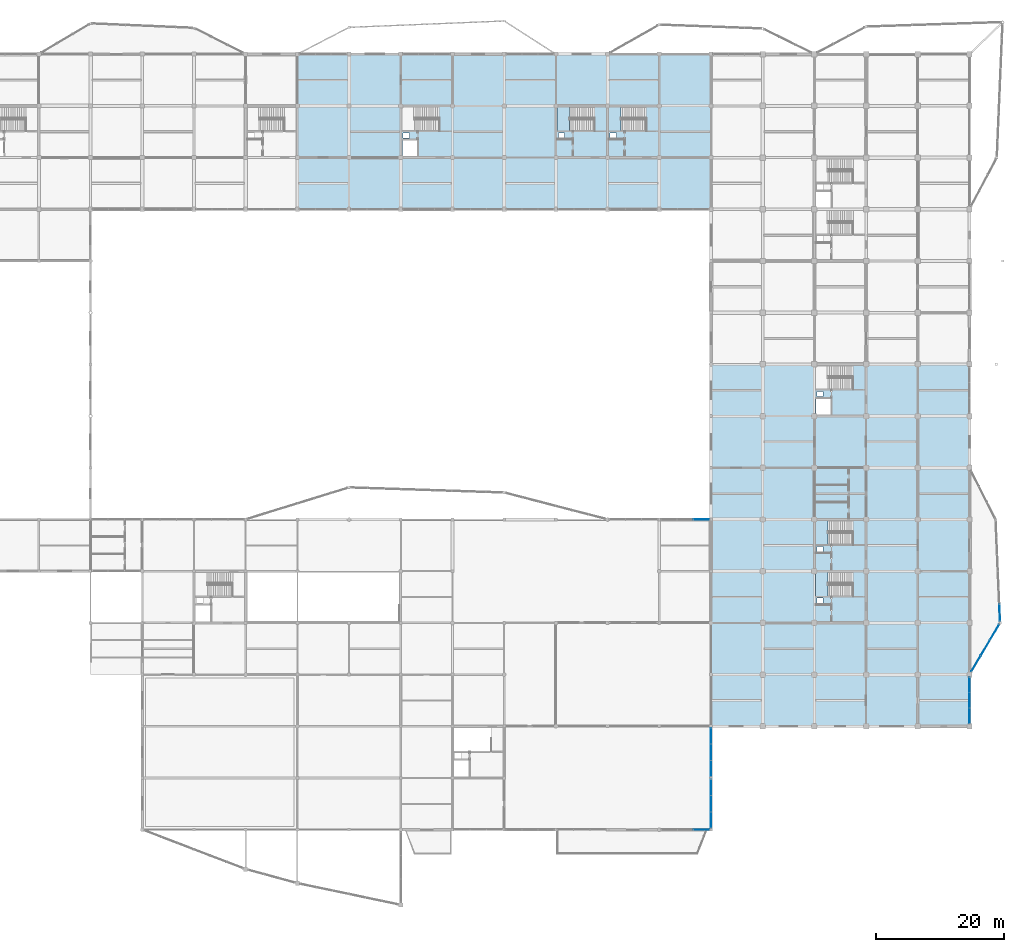
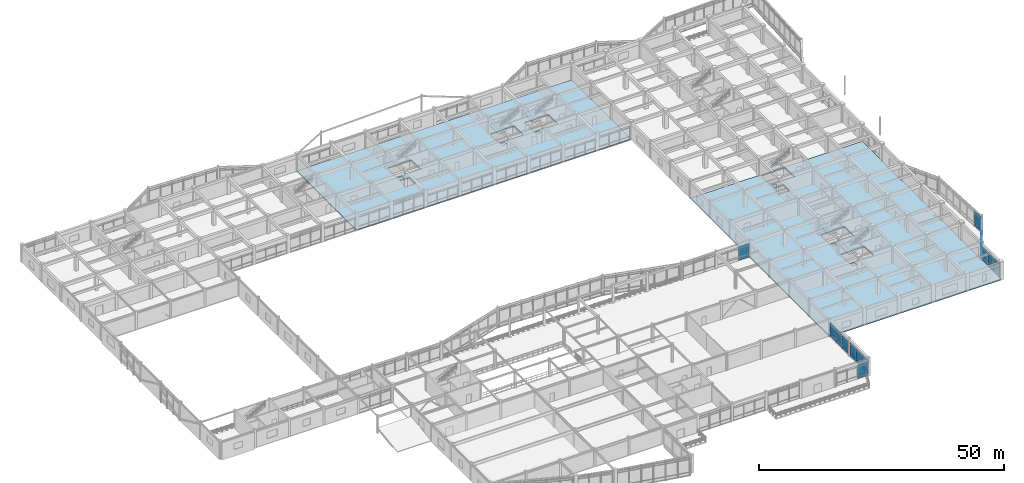
# One storey, part 54 of 93: 30 plates, 6 slabs, 11 elements without a shape of their own.
"""IFC4 building model written with IfcOpenShell, lengths in metres."""

from ifc_helpers import new_model, si_unit, direction, frame, origin, origin_2d, place, context, subcontext, project, spatial, polyline, rectangle, outline, extrude, material, layer, layer_set, type_object, element, aggregate, save


model = new_model("IFC4")

# Units and contexts
model_context = context("Model", 3, precision=1e-05, world=origin(), true_north=direction((0.0, 1.0)))
body_context = subcontext(model_context, "Body", "Model", "MODEL_VIEW")
ifc_project = project(units=[si_unit("LENGTHUNIT", "METRE"), si_unit("AREAUNIT", "SQUARE_METRE"), si_unit("VOLUMEUNIT", "CUBIC_METRE"), si_unit("PLANEANGLEUNIT", "RADIAN"), si_unit("MASSUNIT", "GRAM", prefix="KILO")], contexts=[model_context])

# Site, building, storey
site_placement = place(None, origin())
site = spatial("IfcSite", under=ifc_project, at=site_placement, CompositionType="ELEMENT")
building_placement = place(site_placement, origin())
building = spatial("IfcBuilding", under=site, at=building_placement, Name="Vaudrelin Polytechnic", CompositionType="ELEMENT")
storey_placement = place(building_placement, frame((0.0, 0.0, 5.10009765625)))
storey = spatial("IfcBuildingStorey", under=building, at=storey_placement, Name="L01", CompositionType="ELEMENT", Elevation=5.10009765625)

# Curtain wall, plates
ifc_material_1 = material(Name="Thermally broken anodised aluminium AA 6063-T6 and low-e triple glazing", Category="aluminium")
ifc_layer_1 = layer(ifc_material_1, 0.199951171875)
ifc_layer_set_1 = layer_set([ifc_layer_1], Name="Thermally broken anodised aluminium AA 6063-T6 and low-e triple glazing")
curtain_wall_type_1 = type_object("IfcCurtainWallType", Name="CW-CW-LAB", PredefinedType="USERDEFINED", material=ifc_layer_set_1)
curtain_wall_1_placement = place(storey_placement, origin())
curtain_wall_1 = element("IfcCurtainWall", 1, at=curtain_wall_1_placement, inside=storey, type_object=curtain_wall_type_1, Name="Curtain wall L01 E_V4_00", ObjectType="CURTAIN WALL", PredefinedType="USERDEFINED")
ifc_material_2 = material(Name="Insulated ceramic-frit spandrel glass panel", Category="glass")
ifc_layer_2 = layer(ifc_material_2, 0.052001953125)
ifc_layer_set_2 = layer_set([ifc_layer_2], Name="Insulated ceramic-frit spandrel glass panel")
plate_type_1 = type_object("IfcPlateType", Name="PLT-GLZ-SPAND", PredefinedType="CURTAIN_PANEL", material=ifc_layer_set_2)
plate_1_placement = place(storey_placement, frame((170.10009765625, 17.83203125, 0.08984375), z_axis=(0.0, 0.0, 1.0), x_axis=(0.0, 1.0, 0.0)))
plate_1 = element("IfcPlate", 2, at=plate_1_placement, type_object=plate_type_1, Name="E_V4_00 spandrel panel 1", PredefinedType="CURTAIN_PANEL", context=body_context, shape_type="SweptSolid", body=[
    extrude(rectangle(XDim=2.318115234375, YDim=0.052001953125, at=origin_2d()), origin(), (0.0, 0.0, 1.0), 0.699951171875),
])
plate_2_placement = place(storey_placement, frame((170.10009765625, 20.25, 0.08984375), z_axis=(0.0, 0.0, 1.0), x_axis=(0.0, 1.0, 0.0)))
plate_2 = element("IfcPlate", 3, at=plate_2_placement, type_object=plate_type_1, Name="E_V4_00 spandrel panel 2", PredefinedType="CURTAIN_PANEL", context=body_context, shape_type="SweptSolid", body=[
    extrude(rectangle(XDim=2.318115234375, YDim=0.052001953125, at=origin_2d()), origin(), (0.0, 0.0, 1.0), 0.699951171875),
])
plate_3_placement = place(storey_placement, frame((170.10009765625, 22.66796875, 0.08984375), z_axis=(0.0, 0.0, 1.0), x_axis=(0.0, 1.0, 0.0)))
plate_3 = element("IfcPlate", 4, at=plate_3_placement, type_object=plate_type_1, Name="E_V4_00 spandrel panel 3", PredefinedType="CURTAIN_PANEL", context=body_context, shape_type="SweptSolid", body=[
    extrude(rectangle(XDim=2.318115234375, YDim=0.052001953125, at=origin_2d()), origin(), (0.0, 0.0, 1.0), 0.699951171875),
])

ifc_layer_3 = layer(ifc_material_1, 0.199951171875)
ifc_layer_set_3 = layer_set([ifc_layer_3], Name="Thermally broken anodised aluminium AA 6063-T6 and low-e triple glazing")
curtain_wall_type_2 = type_object("IfcCurtainWallType", Name="CW-CW-WG", PredefinedType="USERDEFINED", material=ifc_layer_set_3)
curtain_wall_2_placement = place(storey_placement, origin())
curtain_wall_2 = element("IfcCurtainWall", 5, at=curtain_wall_2_placement, inside=storey, type_object=curtain_wall_type_2, Name="Curtain wall L01 E_V3_00", ObjectType="CURTAIN WALL", PredefinedType="USERDEFINED")
plate_4_placement = place(storey_placement, frame((129.60009765625, 1.498779296875, 0.08984375), z_axis=(0.0, 0.0, 1.0), x_axis=(0.0, 1.0, 0.0)))
plate_4 = element("IfcPlate", 6, at=plate_4_placement, type_object=plate_type_1, Name="E_V3_00 spandrel panel 1", PredefinedType="CURTAIN_PANEL", context=body_context, shape_type="SweptSolid", body=[
    extrude(rectangle(XDim=2.451416015625, YDim=0.052001953125, at=origin_2d()), origin(), (0.0, 0.0, 1.0), 0.699951171875),
])
plate_5_placement = place(storey_placement, frame((129.60009765625, 4.050048828125, 0.08984375), z_axis=(0.0, 0.0, 1.0), x_axis=(0.0, 1.0, 0.0)))
plate_5 = element("IfcPlate", 7, at=plate_5_placement, type_object=plate_type_1, Name="E_V3_00 spandrel panel 2", PredefinedType="CURTAIN_PANEL", context=body_context, shape_type="SweptSolid", body=[
    extrude(rectangle(XDim=2.451416015625, YDim=0.052001953125, at=origin_2d()), origin(), (0.0, 0.0, 1.0), 0.699951171875),
])
plate_6_placement = place(storey_placement, frame((129.60009765625, 6.601318359375, 0.08984375), z_axis=(0.0, 0.0, 1.0), x_axis=(0.0, 1.0, 0.0)))
plate_6 = element("IfcPlate", 8, at=plate_6_placement, type_object=plate_type_1, Name="E_V3_00 spandrel panel 3", PredefinedType="CURTAIN_PANEL", context=body_context, shape_type="SweptSolid", body=[
    extrude(rectangle(XDim=2.451416015625, YDim=0.052001953125, at=origin_2d()), origin(), (0.0, 0.0, 1.0), 0.699951171875),
])

curtain_wall_3_placement = place(storey_placement, origin())
curtain_wall_3 = element("IfcCurtainWall", 9, at=curtain_wall_3_placement, inside=storey, type_object=curtain_wall_type_2, Name="Curtain wall L01 E_V3_01", ObjectType="CURTAIN WALL", PredefinedType="USERDEFINED")
plate_7_placement = place(storey_placement, frame((129.60009765625, 9.5986328125, 0.08984375), z_axis=(0.0, 0.0, 1.0), x_axis=(0.0, 1.0, 0.0)))
plate_7 = element("IfcPlate", 10, at=plate_7_placement, type_object=plate_type_1, Name="E_V3_01 spandrel panel 1", PredefinedType="CURTAIN_PANEL", context=body_context, shape_type="SweptSolid", body=[
    extrude(rectangle(XDim=2.451416015625, YDim=0.052001953125, at=origin_2d()), origin(), (0.0, 0.0, 1.0), 0.699951171875),
])
plate_8_placement = place(storey_placement, frame((129.60009765625, 12.14990234375, 0.08984375), z_axis=(0.0, 0.0, 1.0), x_axis=(0.0, 1.0, 0.0)))
plate_8 = element("IfcPlate", 11, at=plate_8_placement, type_object=plate_type_1, Name="E_V3_01 spandrel panel 2", PredefinedType="CURTAIN_PANEL", context=body_context, shape_type="SweptSolid", body=[
    extrude(rectangle(XDim=2.451416015625, YDim=0.052001953125, at=origin_2d()), origin(), (0.0, 0.0, 1.0), 0.699951171875),
])
plate_9_placement = place(storey_placement, frame((129.60009765625, 14.701416015625, 0.08984375), z_axis=(0.0, 0.0, 1.0), x_axis=(0.0, 1.0, 0.0)))
plate_9 = element("IfcPlate", 12, at=plate_9_placement, type_object=plate_type_1, Name="E_V3_01 spandrel panel 3", PredefinedType="CURTAIN_PANEL", context=body_context, shape_type="SweptSolid", body=[
    extrude(rectangle(XDim=2.451416015625, YDim=0.052001953125, at=origin_2d()), origin(), (0.0, 0.0, 1.0), 0.699951171875),
])

# Curtain wall, plate
curtain_wall_4_placement = place(storey_placement, origin())
curtain_wall_4 = element("IfcCurtainWall", 13, at=curtain_wall_4_placement, inside=storey, type_object=curtain_wall_type_2, Name="Curtain wall L01 S_V3_05", ObjectType="CURTAIN WALL", PredefinedType="USERDEFINED")
plate_10_placement = place(storey_placement, frame((128.11376953125, 0.0, 0.08984375), z_axis=(0.0, 0.0, 1.0), x_axis=(1.0, 0.0, 0.0)))
plate_10 = element("IfcPlate", 14, at=plate_10_placement, type_object=plate_type_1, Name="S_V3_05 spandrel panel 3", PredefinedType="CURTAIN_PANEL", context=body_context, shape_type="SweptSolid", body=[
    extrude(rectangle(XDim=2.42626953125, YDim=0.052001953125, at=origin_2d()), origin(), (0.0, 0.0, 1.0), 0.699951171875),
])

curtain_wall_5_placement = place(storey_placement, origin())
curtain_wall_5 = element("IfcCurtainWall", 15, at=curtain_wall_5_placement, inside=storey, type_object=curtain_wall_type_2, Name="Curtain wall L01 CT_S_11", ObjectType="CURTAIN WALL", PredefinedType="USERDEFINED")
plate_11_placement = place(storey_placement, frame((128.101318359375, 48.60009765625, 0.08984375), z_axis=(0.0, 0.0, 1.0), x_axis=(1.0, 0.0, 0.0)))
plate_11 = element("IfcPlate", 16, at=plate_11_placement, type_object=plate_type_1, Name="CT_S_11 spandrel panel 3", PredefinedType="CURTAIN_PANEL", context=body_context, shape_type="SweptSolid", body=[
    extrude(rectangle(XDim=2.451416015625, YDim=0.052001953125, at=origin_2d()), origin(), (0.0, 0.0, 1.0), 0.699951171875),
])

# Curtain wall, plates
curtain_wall_6_placement = place(storey_placement, origin())
curtain_wall_6 = element("IfcCurtainWall", 17, at=curtain_wall_6_placement, inside=storey, type_object=curtain_wall_type_1, Name="Curtain wall L01 E_OR1_1_0", ObjectType="CURTAIN WALL", PredefinedType="USERDEFINED")
plate_12_placement = place(storey_placement, frame((171.123779296875, 26.027587890625, 0.08984375), z_axis=(0.0, 0.0, 1.0), x_axis=(0.509798873652, 0.860293617565, 0.0)))
plate_12 = element("IfcPlate", 18, at=plate_12_placement, type_object=plate_type_1, Name="E_OR1_1_0 spandrel panel 1", PredefinedType="CURTAIN_PANEL", context=body_context, shape_type="SweptSolid", body=[
    extrude(rectangle(XDim=2.758056640625, YDim=0.052001953125, at=origin_2d()), origin(), (0.0, 0.0, 1.0), 0.699951171875),
])
plate_13_placement = place(storey_placement, frame((172.580810546875, 28.486083984375, 0.08984375), z_axis=(0.0, 0.0, 1.0), x_axis=(0.509798873652, 0.860293617565, 0.0)))
plate_13 = element("IfcPlate", 19, at=plate_13_placement, type_object=plate_type_1, Name="E_OR1_1_0 spandrel panel 2", PredefinedType="CURTAIN_PANEL", context=body_context, shape_type="SweptSolid", body=[
    extrude(rectangle(XDim=2.758056640625, YDim=0.052001953125, at=origin_2d()), origin(), (0.0, 0.0, 1.0), 0.699951171875),
])
plate_14_placement = place(storey_placement, frame((174.037841796875, 30.945068359375, 0.08984375), z_axis=(0.0, 0.0, 1.0), x_axis=(0.509798873652, 0.860293617565, 0.0)))
plate_14 = element("IfcPlate", 20, at=plate_14_placement, type_object=plate_type_1, Name="E_OR1_1_0 spandrel panel 3", PredefinedType="CURTAIN_PANEL", context=body_context, shape_type="SweptSolid", body=[
    extrude(rectangle(XDim=2.758056640625, YDim=0.052001953125, at=origin_2d()), origin(), (0.0, 0.0, 1.0), 0.699951171875),
])

# Curtain wall, plate
curtain_wall_7_placement = place(storey_placement, origin())
curtain_wall_7 = element("IfcCurtainWall", 21, at=curtain_wall_7_placement, inside=storey, type_object=curtain_wall_type_1, Name="Curtain wall L01 E_OR1_2_0", ObjectType="CURTAIN WALL", PredefinedType="USERDEFINED")
plate_15_placement = place(storey_placement, frame((174.8330078125, 33.94775390625, 0.08984375), z_axis=(0.0, 0.0, 1.0), x_axis=(-0.043164270821, 0.99906798854, 0.0)))
plate_15 = element("IfcPlate", 22, at=plate_15_placement, type_object=plate_type_1, Name="E_OR1_2_0 spandrel panel 1", PredefinedType="CURTAIN_PANEL", context=body_context, shape_type="SweptSolid", body=[
    extrude(rectangle(XDim=2.523193359375, YDim=0.052001953125, at=origin_2d()), origin(), (0.0, 0.0, 1.0), 0.699951171875),
])

# Plate
ifc_material_3 = material(Name="Triple low-e argon insulated glazing unit", Category="glass")
ifc_layer_4 = layer(ifc_material_3, 0.0439453125)
ifc_layer_set_4 = layer_set([ifc_layer_4], Name="Triple low-e argon insulated glazing unit")
plate_type_2 = type_object("IfcPlateType", Name="PLT-GLZ-TRIPLE", PredefinedType="CURTAIN_PANEL", material=ifc_layer_set_4)
plate_16_placement = place(storey_placement, frame((170.10009765625, 17.83203125, 0.89990234375), z_axis=(0.0, 0.0, 1.0), x_axis=(0.0, 1.0, 0.0)))
plate_16 = element("IfcPlate", 23, at=plate_16_placement, type_object=plate_type_2, Name="E_V4_00 vision panel 1", PredefinedType="CURTAIN_PANEL", context=body_context, shape_type="SweptSolid", body=[
    extrude(rectangle(XDim=2.318115234375, YDim=0.0439453125, at=origin_2d()), origin(), (0.0, 0.0, 1.0), 2.662109375),
])

plate_17_placement = place(storey_placement, frame((170.10009765625, 20.25, 0.89990234375), z_axis=(0.0, 0.0, 1.0), x_axis=(0.0, 1.0, 0.0)))
plate_17 = element("IfcPlate", 24, at=plate_17_placement, type_object=plate_type_2, Name="E_V4_00 vision panel 2", PredefinedType="CURTAIN_PANEL", context=body_context, shape_type="SweptSolid", body=[
    extrude(rectangle(XDim=2.318115234375, YDim=0.0439453125, at=origin_2d()), origin(), (0.0, 0.0, 1.0), 2.662109375),
])

plate_18_placement = place(storey_placement, frame((170.10009765625, 22.66796875, 0.89990234375), z_axis=(0.0, 0.0, 1.0), x_axis=(0.0, 1.0, 0.0)))
plate_18 = element("IfcPlate", 25, at=plate_18_placement, type_object=plate_type_2, Name="E_V4_00 vision panel 3", PredefinedType="CURTAIN_PANEL", context=body_context, shape_type="SweptSolid", body=[
    extrude(rectangle(XDim=2.318115234375, YDim=0.0439453125, at=origin_2d()), origin(), (0.0, 0.0, 1.0), 2.662109375),
])

aggregate(curtain_wall_1, [plate_1, plate_16, plate_2, plate_17, plate_3, plate_18])

plate_19_placement = place(storey_placement, frame((129.60009765625, 1.498779296875, 0.89990234375), z_axis=(0.0, 0.0, 1.0), x_axis=(0.0, 1.0, 0.0)))
plate_19 = element("IfcPlate", 26, at=plate_19_placement, type_object=plate_type_2, Name="E_V3_00 vision panel 1", PredefinedType="CURTAIN_PANEL", context=body_context, shape_type="SweptSolid", body=[
    extrude(rectangle(XDim=2.451416015625, YDim=0.0439453125, at=origin_2d()), origin(), (0.0, 0.0, 1.0), 2.662109375),
])

plate_20_placement = place(storey_placement, frame((129.60009765625, 4.050048828125, 0.89990234375), z_axis=(0.0, 0.0, 1.0), x_axis=(0.0, 1.0, 0.0)))
plate_20 = element("IfcPlate", 27, at=plate_20_placement, type_object=plate_type_2, Name="E_V3_00 vision panel 2", PredefinedType="CURTAIN_PANEL", context=body_context, shape_type="SweptSolid", body=[
    extrude(rectangle(XDim=2.451416015625, YDim=0.0439453125, at=origin_2d()), origin(), (0.0, 0.0, 1.0), 2.662109375),
])

plate_21_placement = place(storey_placement, frame((129.60009765625, 6.601318359375, 0.89990234375), z_axis=(0.0, 0.0, 1.0), x_axis=(0.0, 1.0, 0.0)))
plate_21 = element("IfcPlate", 28, at=plate_21_placement, type_object=plate_type_2, Name="E_V3_00 vision panel 3", PredefinedType="CURTAIN_PANEL", context=body_context, shape_type="SweptSolid", body=[
    extrude(rectangle(XDim=2.451416015625, YDim=0.0439453125, at=origin_2d()), origin(), (0.0, 0.0, 1.0), 2.662109375),
])

aggregate(curtain_wall_2, [plate_4, plate_19, plate_5, plate_20, plate_6, plate_21])

plate_22_placement = place(storey_placement, frame((129.60009765625, 9.5986328125, 0.89990234375), z_axis=(0.0, 0.0, 1.0), x_axis=(0.0, 1.0, 0.0)))
plate_22 = element("IfcPlate", 29, at=plate_22_placement, type_object=plate_type_2, Name="E_V3_01 vision panel 1", PredefinedType="CURTAIN_PANEL", context=body_context, shape_type="SweptSolid", body=[
    extrude(rectangle(XDim=2.451416015625, YDim=0.0439453125, at=origin_2d()), origin(), (0.0, 0.0, 1.0), 2.56201171875),
])

plate_23_placement = place(storey_placement, frame((129.60009765625, 12.14990234375, 0.89990234375), z_axis=(0.0, 0.0, 1.0), x_axis=(0.0, 1.0, 0.0)))
plate_23 = element("IfcPlate", 30, at=plate_23_placement, type_object=plate_type_2, Name="E_V3_01 vision panel 2", PredefinedType="CURTAIN_PANEL", context=body_context, shape_type="SweptSolid", body=[
    extrude(rectangle(XDim=2.451416015625, YDim=0.0439453125, at=origin_2d()), origin(), (0.0, 0.0, 1.0), 2.56201171875),
])

plate_24_placement = place(storey_placement, frame((129.60009765625, 14.701416015625, 0.89990234375), z_axis=(0.0, 0.0, 1.0), x_axis=(0.0, 1.0, 0.0)))
plate_24 = element("IfcPlate", 31, at=plate_24_placement, type_object=plate_type_2, Name="E_V3_01 vision panel 3", PredefinedType="CURTAIN_PANEL", context=body_context, shape_type="SweptSolid", body=[
    extrude(rectangle(XDim=2.451416015625, YDim=0.0439453125, at=origin_2d()), origin(), (0.0, 0.0, 1.0), 2.56201171875),
])

aggregate(curtain_wall_3, [plate_7, plate_22, plate_8, plate_23, plate_9, plate_24])

plate_25_placement = place(storey_placement, frame((128.11376953125, 0.0, 0.89990234375), z_axis=(0.0, 0.0, 1.0), x_axis=(1.0, 0.0, 0.0)))
plate_25 = element("IfcPlate", 32, at=plate_25_placement, type_object=plate_type_2, Name="S_V3_05 vision panel 3", PredefinedType="CURTAIN_PANEL", context=body_context, shape_type="SweptSolid", body=[
    extrude(rectangle(XDim=2.42626953125, YDim=0.0439453125, at=origin_2d()), origin(), (0.0, 0.0, 1.0), 2.662109375),
])

aggregate(curtain_wall_4, [plate_10, plate_25])

plate_26_placement = place(storey_placement, frame((128.101318359375, 48.60009765625, 0.89990234375), z_axis=(0.0, 0.0, 1.0), x_axis=(1.0, 0.0, 0.0)))
plate_26 = element("IfcPlate", 33, at=plate_26_placement, type_object=plate_type_2, Name="CT_S_11 vision panel 3", PredefinedType="CURTAIN_PANEL", context=body_context, shape_type="SweptSolid", body=[
    extrude(rectangle(XDim=2.451416015625, YDim=0.0439453125, at=origin_2d()), origin(), (0.0, 0.0, 1.0), 2.662109375),
])

aggregate(curtain_wall_5, [plate_11, plate_26])

plate_27_placement = place(storey_placement, frame((171.123779296875, 26.027587890625, 0.89990234375), z_axis=(0.0, 0.0, 1.0), x_axis=(0.509798873652, 0.860293617565, 0.0)))
plate_27 = element("IfcPlate", 34, at=plate_27_placement, type_object=plate_type_2, Name="E_OR1_1_0 vision panel 1", PredefinedType="CURTAIN_PANEL", context=body_context, shape_type="SweptSolid", body=[
    extrude(rectangle(XDim=2.758056640625, YDim=0.0439453125, at=origin_2d()), origin(), (0.0, 0.0, 1.0), 2.97998046875),
])

plate_28_placement = place(storey_placement, frame((172.580810546875, 28.486083984375, 0.89990234375), z_axis=(0.0, 0.0, 1.0), x_axis=(0.509798873652, 0.860293617565, 0.0)))
plate_28 = element("IfcPlate", 35, at=plate_28_placement, type_object=plate_type_2, Name="E_OR1_1_0 vision panel 2", PredefinedType="CURTAIN_PANEL", context=body_context, shape_type="SweptSolid", body=[
    extrude(rectangle(XDim=2.758056640625, YDim=0.0439453125, at=origin_2d()), origin(), (0.0, 0.0, 1.0), 2.97998046875),
])

plate_29_placement = place(storey_placement, frame((174.037841796875, 30.945068359375, 0.89990234375), z_axis=(0.0, 0.0, 1.0), x_axis=(0.509798873652, 0.860293617565, 0.0)))
plate_29 = element("IfcPlate", 36, at=plate_29_placement, type_object=plate_type_2, Name="E_OR1_1_0 vision panel 3", PredefinedType="CURTAIN_PANEL", context=body_context, shape_type="SweptSolid", body=[
    extrude(rectangle(XDim=2.758056640625, YDim=0.0439453125, at=origin_2d()), origin(), (0.0, 0.0, 1.0), 2.97998046875),
])

aggregate(curtain_wall_6, [plate_12, plate_27, plate_13, plate_28, plate_14, plate_29])

plate_30_placement = place(storey_placement, frame((174.8330078125, 33.94775390625, 0.89990234375), z_axis=(0.0, 0.0, 1.0), x_axis=(-0.043164270821, 0.99906798854, 0.0)))
plate_30 = element("IfcPlate", 37, at=plate_30_placement, type_object=plate_type_2, Name="E_OR1_2_0 vision panel 1", PredefinedType="CURTAIN_PANEL", context=body_context, shape_type="SweptSolid", body=[
    extrude(rectangle(XDim=2.523193359375, YDim=0.0439453125, at=origin_2d()), origin(), (0.0, 0.0, 1.0), 2.97998046875),
])

aggregate(curtain_wall_7, [plate_15, plate_30])

# Stair, slab
ifc_material_4 = material(Name="Concrete 35 MPa", Category="concrete")
stair_type = type_object("IfcStairType", Name="STR-ST-CORE", PredefinedType="TWO_STRAIGHT_RUN_STAIR", material=ifc_material_4)
stair_1_placement = place(storey_placement, origin())
stair_1 = element("IfcStair", 38, at=stair_1_placement, inside=storey, type_object=stair_type, Name="Exit stair ST-08-L01", PredefinedType="TWO_STRAIGHT_RUN_STAIR")
ifc_layer_5 = layer(ifc_material_4, 0.219970703125)
ifc_layer_set_5 = layer_set([ifc_layer_5], Name="Concrete 35 MPa")
slab_type_1 = type_object("IfcSlabType", Name="SLB-LND220", PredefinedType="LANDING", material=ifc_layer_set_5)
slab_1_placement = place(storey_placement, frame((0.0, 0.0, 2.074951171875)))
slab_1 = element("IfcSlab", 39, at=slab_1_placement, type_object=slab_type_1, Name="ST-08-L01 landing 1", PredefinedType="LANDING", context=body_context, shape_type="SweptSolid", body=[
    extrude(outline(polyline([(145.93994140625, 36.56005859375), (147.909912109375, 36.56005859375), (147.909912109375, 40.39990234375), (145.93994140625, 40.39990234375), (145.93994140625, 36.56005859375)])), origin(), (0.0, 0.0, 1.0), 0.219970703125),
])
aggregate(stair_1, [slab_1])

stair_2_placement = place(storey_placement, origin())
stair_2 = element("IfcStair", 40, at=stair_2_placement, inside=storey, type_object=stair_type, Name="Exit stair ST-10-L01", PredefinedType="TWO_STRAIGHT_RUN_STAIR")
slab_2_placement = place(storey_placement, frame((0.0, 0.0, 2.074951171875)))
slab_2 = element("IfcSlab", 41, at=slab_2_placement, type_object=slab_type_1, Name="ST-10-L01 landing 1", PredefinedType="LANDING", context=body_context, shape_type="SweptSolid", body=[
    extrude(outline(polyline([(113.5400390625, 109.4599609375), (115.510009765625, 109.4599609375), (115.510009765625, 113.300048828125), (113.5400390625, 113.300048828125), (113.5400390625, 109.4599609375)])), origin(), (0.0, 0.0, 1.0), 0.219970703125),
])
aggregate(stair_2, [slab_2])

stair_3_placement = place(storey_placement, origin())
stair_3 = element("IfcStair", 42, at=stair_3_placement, inside=storey, type_object=stair_type, Name="Exit stair ST-11-L01", PredefinedType="TWO_STRAIGHT_RUN_STAIR")
slab_3_placement = place(storey_placement, frame((0.0, 0.0, 2.074951171875)))
slab_3 = element("IfcSlab", 43, at=slab_3_placement, type_object=slab_type_1, Name="ST-11-L01 landing 1", PredefinedType="LANDING", context=body_context, shape_type="SweptSolid", body=[
    extrude(outline(polyline([(105.43994140625, 109.4599609375), (107.409912109375, 109.4599609375), (107.409912109375, 113.300048828125), (105.43994140625, 113.300048828125), (105.43994140625, 109.4599609375)])), origin(), (0.0, 0.0, 1.0), 0.219970703125),
])
aggregate(stair_3, [slab_3])

stair_4_placement = place(storey_placement, origin())
stair_4 = element("IfcStair", 44, at=stair_4_placement, inside=storey, type_object=stair_type, Name="Exit stair ST-12-L01", PredefinedType="TWO_STRAIGHT_RUN_STAIR")
slab_4_placement = place(storey_placement, frame((0.0, 0.0, 2.074951171875)))
slab_4 = element("IfcSlab", 45, at=slab_4_placement, type_object=slab_type_1, Name="ST-12-L01 landing 1", PredefinedType="LANDING", context=body_context, shape_type="SweptSolid", body=[
    extrude(outline(polyline([(145.93994140625, 44.659912109375), (147.909912109375, 44.659912109375), (147.909912109375, 48.5), (145.93994140625, 48.5), (145.93994140625, 44.659912109375)])), origin(), (0.0, 0.0, 1.0), 0.219970703125),
])
aggregate(stair_4, [slab_4])

# Slabs
ifc_layer_6 = layer(ifc_material_4, 0.280029296875)
ifc_layer_set_6 = layer_set([ifc_layer_6], Name="Concrete 35 MPa")
slab_type_2 = type_object("IfcSlabType", Name="SLB-SL-F280", PredefinedType="FLOOR", material=ifc_layer_set_6)
slab_5_placement = place(storey_placement, frame((0.0, 0.0, -0.280029296875)))
element("IfcSlab", 46, at=slab_5_placement, inside=storey, type_object=slab_type_2, Name="L01 floor slab V5-E", PredefinedType="FLOOR", context=body_context, shape_type="SweptSolid", body=[
    extrude(outline(polyline([(64.800048828125, 97.199951171875), (129.60009765625, 97.199951171875), (129.60009765625, 121.5), (64.800048828125, 121.5), (64.800048828125, 97.199951171875)]), holes=[polyline([(81.25, 109.510009765625), (87.0, 109.510009765625), (87.0, 113.14990234375), (81.25, 113.14990234375), (81.25, 109.510009765625)]), polyline([(81.25, 105.550048828125), (83.580078125, 105.550048828125), (83.580078125, 108.030029296875), (81.25, 108.030029296875), (81.25, 105.550048828125)]), polyline([(81.3798828125, 108.3798828125), (82.3798828125, 108.3798828125), (82.3798828125, 109.179931640625), (81.3798828125, 109.179931640625), (81.3798828125, 108.3798828125)]), polyline([(113.64990234375, 109.510009765625), (119.39990234375, 109.510009765625), (119.39990234375, 113.14990234375), (113.64990234375, 113.14990234375), (113.64990234375, 109.510009765625)]), polyline([(113.780029296875, 108.3798828125), (114.780029296875, 108.3798828125), (114.780029296875, 109.179931640625), (113.780029296875, 109.179931640625), (113.780029296875, 108.3798828125)]), polyline([(105.550048828125, 109.510009765625), (111.300048828125, 109.510009765625), (111.300048828125, 113.14990234375), (105.550048828125, 113.14990234375), (105.550048828125, 109.510009765625)]), polyline([(105.679931640625, 108.3798828125), (106.679931640625, 108.3798828125), (106.679931640625, 109.179931640625), (105.679931640625, 109.179931640625), (105.679931640625, 108.3798828125)])]), origin(), (0.0, 0.0, 1.0), 0.280029296875),
])
slab_6_placement = place(storey_placement, frame((0.0, 0.0, -0.280029296875)))
element("IfcSlab", 47, at=slab_6_placement, inside=storey, type_object=slab_type_2, Name="L01 floor slab V4-S", PredefinedType="FLOOR", context=body_context, shape_type="SweptSolid", body=[
    extrude(outline(polyline([(129.60009765625, 16.199951171875), (170.10009765625, 16.199951171875), (170.10009765625, 72.89990234375), (129.60009765625, 72.89990234375), (129.60009765625, 16.199951171875)]), holes=[polyline([(146.050048828125, 69.010009765625), (151.800048828125, 69.010009765625), (151.800048828125, 72.64990234375), (146.050048828125, 72.64990234375), (146.050048828125, 69.010009765625)]), polyline([(146.050048828125, 65.050048828125), (148.3798828125, 65.050048828125), (148.3798828125, 67.530029296875), (146.050048828125, 67.530029296875), (146.050048828125, 65.050048828125)]), polyline([(146.179931640625, 67.8798828125), (147.179931640625, 67.8798828125), (147.179931640625, 68.679931640625), (146.179931640625, 68.679931640625), (146.179931640625, 67.8798828125)]), polyline([(146.050048828125, 36.610107421875), (151.800048828125, 36.610107421875), (151.800048828125, 40.25), (146.050048828125, 40.25), (146.050048828125, 36.610107421875)]), polyline([(146.179931640625, 35.47998046875), (147.179931640625, 35.47998046875), (147.179931640625, 36.280029296875), (146.179931640625, 36.280029296875), (146.179931640625, 35.47998046875)]), polyline([(146.050048828125, 44.7099609375), (151.800048828125, 44.7099609375), (151.800048828125, 48.35009765625), (146.050048828125, 48.35009765625), (146.050048828125, 44.7099609375)]), polyline([(146.179931640625, 43.580078125), (147.179931640625, 43.580078125), (147.179931640625, 44.3798828125), (146.179931640625, 44.3798828125), (146.179931640625, 43.580078125)])]), origin(), (0.0, 0.0, 1.0), 0.280029296875),
])

save(model, "model.ifc")
